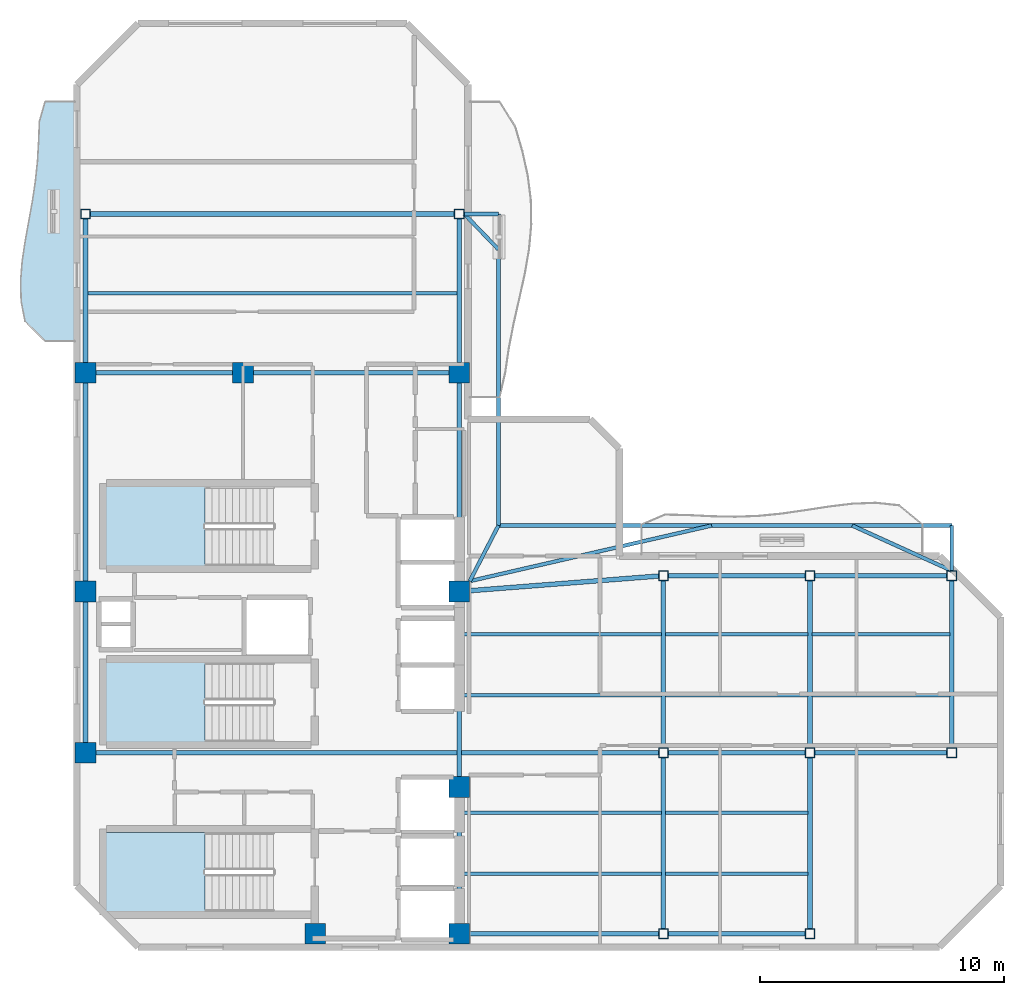
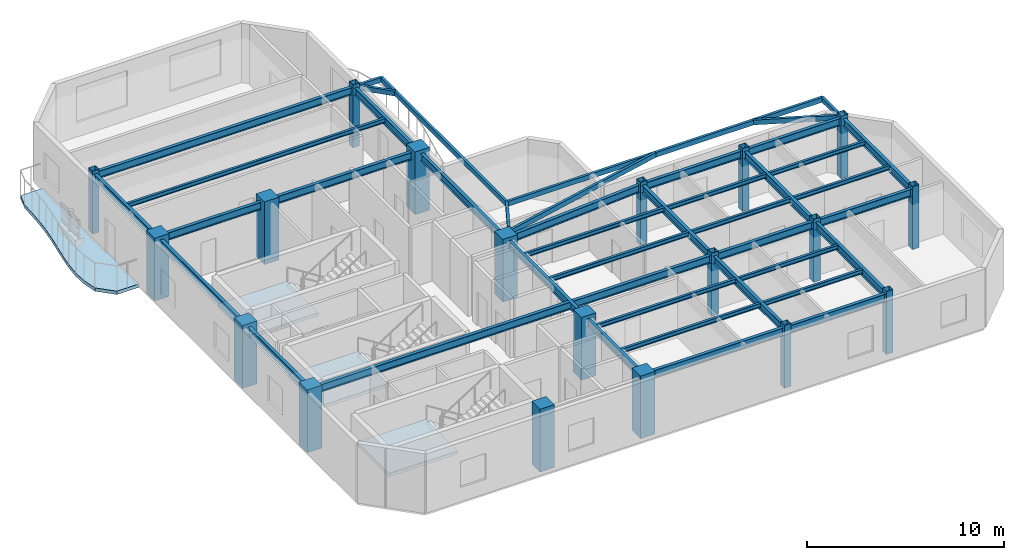
# One storey, part 1 of 7: 42 beams, 19 columns, 4 slabs, 3 elements without a shape of their own.
"""IFC4 building model written with IfcOpenShell, lengths in metres."""

from ifc_helpers import new_model, si_unit, direction, frame, origin, origin_2d, place, context, subcontext, project, spatial, polyline, rectangle, hollow_rectangle, i_section, outline, extrude, material, layer, layer_set, material_profile, profile_set, type_object, element, aggregate, save


model = new_model("IFC4")

# Units and contexts
model_context = context("Model", 3, precision=1e-05, world=origin(), true_north=direction((0.0, 1.0)))
body_context = subcontext(model_context, "Body", "Model", "MODEL_VIEW")
ifc_project = project(units=[si_unit("LENGTHUNIT", "METRE"), si_unit("AREAUNIT", "SQUARE_METRE"), si_unit("VOLUMEUNIT", "CUBIC_METRE"), si_unit("PLANEANGLEUNIT", "RADIAN"), si_unit("MASSUNIT", "GRAM", prefix="KILO")], contexts=[model_context])

# Site, building, storey
site_placement = place(None, origin())
site = spatial("IfcSite", under=ifc_project, at=site_placement, CompositionType="ELEMENT")
building_placement = place(site_placement, origin())
building = spatial("IfcBuilding", under=site, at=building_placement, Name="Mawjaban Terraces University", CompositionType="ELEMENT")
storey_placement = place(building_placement, frame((0.0, 0.0, 298.89990234375)))
storey = spatial("IfcBuildingStorey", under=building, at=storey_placement, Name="L73", CompositionType="ELEMENT", Elevation=298.89990234375)

# Columns
ifc_material_1 = material(Name="Concrete C50/60", Category="concrete")
ifc_material_profile_1 = material_profile(ifc_material_1, rectangle(XDim=0.85009765625, YDim=0.85009765625, at=origin_2d()), Name="RC850X850")
ifc_profile_set_1 = profile_set([ifc_material_profile_1], Name="Concrete C50/60")
column_type_1 = type_object("IfcColumnType", Name="Col_RC850X850", PredefinedType="COLUMN", material=ifc_profile_set_1)
for number, where, z_axis, x_axis, name in (
    (1, (31.75, 0.550048828125, 0.0), (0.0, 0.0, 1.0), (1.0, 0.0, 0.0), "L73 Column CC2"),
    (2, (37.64990234375, 0.550048828125, 0.0), (0.0, 0.0, 1.0), (1.0, 0.0, 0.0), "L73 Column CC3"),
    (3, (22.35009765625, 7.949951171875, 0.0), (0.0, 0.0, 1.0), (1.0, 0.0, 0.0), "L73 Column CC4"),
    (4, (37.64990234375, 6.550048828125, 0.0), (0.0, 0.0, 1.0), (1.0, 0.0, 0.0), "L73 Column CC5"),
    (5, (22.35009765625, 14.550048828125, 0.0), (0.0, 0.0, 1.0), (1.0, 0.0, 0.0), "L73 Column CC6"),
    (6, (37.64990234375, 14.550048828125, 0.0), (0.0, 0.0, 1.0), (1.0, 0.0, 0.0), "L73 Column CC7"),
    (7, (22.35009765625, 23.5, 0.0), (0.0, 0.0, 1.0), (1.0, 0.0, 0.0), "L73 Column CC8"),
    (8, (28.800048828125, 23.5, 0.0), (0.0, 0.0, 1.0), (1.0, 0.0, 0.0), "L73 Column CC9"),
    (9, (37.64990234375, 23.5, 0.0), (0.0, 0.0, 1.0), (1.0, 0.0, 0.0), "L73 Column CC10"),
):
    element("IfcColumn", number, at=place(storey_placement, frame(where, z_axis=z_axis, x_axis=x_axis)), inside=storey, type_object=column_type_1, Name=name, PredefinedType="COLUMN", context=body_context, shape_type="SweptSolid", body=[
        extrude(rectangle(XDim=0.85009765625, YDim=0.85009765625, at=origin_2d()), origin(), (0.0, 0.0, 1.0), 3.900146484375),
    ])
ifc_material_2 = material(Name="Steel EN 10210-1 S355J2H", Category="steel")
ifc_material_profile_2 = material_profile(ifc_material_2, hollow_rectangle(XDim=0.39990234375, YDim=0.39990234375, WallThickness=0.02001953125, at=origin_2d()), Name="SHS400X400X20")
ifc_profile_set_2 = profile_set([ifc_material_profile_2], Name="Steel EN 10210-1 S355J2H")
column_type_2 = type_object("IfcColumnType", Name="Col_SHS400X400X20", PredefinedType="COLUMN", material=ifc_profile_set_2)
for number, where, z_axis, x_axis, name in (
    (10, (46.0, 0.550048828125, 0.0), (0.0, 0.0, 1.0), (1.0, 0.0, 0.0), "L73 Column TE-460-005"),
    (11, (46.0, 7.949951171875, 0.0), (0.0, 0.0, 1.0), (1.0, 0.0, 0.0), "L73 Column TE-460-080"),
    (12, (46.0, 15.199951171875, 0.0), (0.0, 0.0, 1.0), (1.0, 0.0, 0.0), "L73 Column TE-460-152"),
    (13, (52.0, 0.550048828125, 0.0), (0.0, 0.0, 1.0), (1.0, 0.0, 0.0), "L73 Column TE-520-005"),
    (14, (52.0, 7.949951171875, 0.0), (0.0, 0.0, 1.0), (1.0, 0.0, 0.0), "L73 Column TE-520-080"),
    (15, (52.0, 15.199951171875, 0.0), (0.0, 0.0, 1.0), (1.0, 0.0, 0.0), "L73 Column TE-520-152"),
    (16, (57.800048828125, 7.949951171875, 0.0), (0.0, 0.0, 1.0), (1.0, 0.0, 0.0), "L73 Column TE-578-080"),
    (17, (57.800048828125, 15.199951171875, 0.0), (0.0, 0.0, 1.0), (1.0, 0.0, 0.0), "L73 Column TE-578-152"),
    (18, (22.35009765625, 30.0, 0.0), (0.0, 0.0, 1.0), (1.0, 0.0, 0.0), "L73 Column TN-223-300"),
    (19, (37.64990234375, 30.0, 0.0), (0.0, 0.0, 1.0), (1.0, 0.0, 0.0), "L73 Column TN-376-300"),
):
    element("IfcColumn", number, at=place(storey_placement, frame(where, z_axis=z_axis, x_axis=x_axis)), inside=storey, type_object=column_type_2, Name=name, PredefinedType="COLUMN", context=body_context, shape_type="SweptSolid", body=[
        extrude(hollow_rectangle(XDim=0.39990234375, YDim=0.39990234375, WallThickness=0.02001953125, at=origin_2d()), origin(), (0.0, 0.0, 1.0), 3.900146484375),
    ])

# Beams
ifc_material_profile_3 = material_profile(ifc_material_2, hollow_rectangle(XDim=0.14990234375, YDim=0.300048828125, WallThickness=0.012451171875, at=origin_2d()), Name="RHS300X150X12.5")
ifc_profile_set_3 = profile_set([ifc_material_profile_3], Name="Steel EN 10210-1 S355J2H")
beam_type_1 = type_object("IfcBeamType", Name="BalconyCantileverSpandrel_RHS", PredefinedType="SPANDREL", material=ifc_profile_set_3)
beam_1_placement = place(storey_placement, frame((38.074951171875, 14.97509765625, 3.5400390625), z_axis=(0.458922210771, 0.88847645127, 0.0), x_axis=(-0.88847645127, 0.458922210771, 0.0)))
element("IfcBeam", 20, at=beam_1_placement, inside=storey, type_object=beam_type_1, Name="L73 Corner Outrigger BAL-L74-N", PredefinedType="SPANDREL", context=body_context, shape_type="SweptSolid", body=[
    extrude(hollow_rectangle(XDim=0.14990234375, YDim=0.300048828125, WallThickness=0.012451171875, at=origin_2d()), origin(), (0.0, 0.0, 1.0), 2.560546875),
])
beam_2_placement = place(storey_placement, frame((57.800048828125, 15.39990234375, 3.5400390625), z_axis=(0.0, 1.0, 0.0), x_axis=(-1.0, 0.0, 0.0)))
element("IfcBeam", 21, at=beam_2_placement, inside=storey, type_object=beam_type_1, Name="L73 Exterior Outrigger BAL-L74-N.2", PredefinedType="SPANDREL", context=body_context, shape_type="SweptSolid", body=[
    extrude(hollow_rectangle(XDim=0.14990234375, YDim=0.300048828125, WallThickness=0.012451171875, at=origin_2d()), origin(), (0.0, 0.0, 1.0), 1.85009765625),
])
beam_3_placement = place(storey_placement, frame((39.25, 17.25, 3.5400390625), z_axis=(1.0, 0.0, 0.0), x_axis=(0.0, 1.0, 0.0)))
element("IfcBeam", 22, at=beam_3_placement, inside=storey, type_object=beam_type_1, Name="L73 Exterior Edge Spandrel BAL-L74-N", PredefinedType="SPANDREL", context=body_context, shape_type="SweptSolid", body=[
    extrude(hollow_rectangle(XDim=0.14990234375, YDim=0.300048828125, WallThickness=0.012451171875, at=origin_2d()), origin(), (0.0, 0.0, 1.0), 18.550048828125),
])
beam_4_placement = place(storey_placement, frame((38.074951171875, 14.97509765625, 3.5400390625), z_axis=(0.974600999447, 0.223948413426, 0.0), x_axis=(-0.223948413426, 0.974600999447, 0.0)))
element("IfcBeam", 23, at=beam_4_placement, inside=storey, type_object=beam_type_1, Name="L73 Exterior Diagonal Strut BAL-L74-N.1", PredefinedType="SPANDREL", context=body_context, shape_type="SweptSolid", body=[
    extrude(hollow_rectangle(XDim=0.14990234375, YDim=0.300048828125, WallThickness=0.012451171875, at=origin_2d()), origin(), (0.0, 0.0, 1.0), 10.158203125),
])
beam_5_placement = place(storey_placement, frame((57.800048828125, 15.39990234375, 3.5400390625), z_axis=(-0.910547611438, 0.413404217811, 0.0), x_axis=(-0.413404217811, -0.910547611438, 0.0)))
element("IfcBeam", 24, at=beam_5_placement, inside=storey, type_object=beam_type_1, Name="L73 Exterior Diagonal Strut BAL-L74-N.2", PredefinedType="SPANDREL", context=body_context, shape_type="SweptSolid", body=[
    extrude(hollow_rectangle(XDim=0.14990234375, YDim=0.300048828125, WallThickness=0.012451171875, at=origin_2d()), origin(), (0.0, 0.0, 1.0), 4.475341796875),
])
beam_6_placement = place(storey_placement, frame((37.85009765625, 30.0, 3.5400390625), z_axis=(1.0, 0.0, 0.0), x_axis=(0.0, 1.0, 0.0)))
element("IfcBeam", 25, at=beam_6_placement, inside=storey, type_object=beam_type_1, Name="L73 Exterior Outrigger BAL-L74-E.2", PredefinedType="SPANDREL", context=body_context, shape_type="SweptSolid", body=[
    extrude(hollow_rectangle(XDim=0.14990234375, YDim=0.300048828125, WallThickness=0.012451171875, at=origin_2d()), origin(), (0.0, 0.0, 1.0), 1.39990234375),
])
beam_7_placement = place(storey_placement, frame((39.25, 17.25, 3.5400390625), z_axis=(0.0, 1.0, 0.0), x_axis=(-1.0, 0.0, 0.0)))
element("IfcBeam", 26, at=beam_7_placement, inside=storey, type_object=beam_type_1, Name="L73 Exterior Edge Spandrel BAL-L74-E", PredefinedType="SPANDREL", context=body_context, shape_type="SweptSolid", body=[
    extrude(hollow_rectangle(XDim=0.14990234375, YDim=0.300048828125, WallThickness=0.012451171875, at=origin_2d()), origin(), (0.0, 0.0, 1.0), 12.75),
])
beam_8_placement = place(storey_placement, frame((37.85009765625, 30.0, 3.5400390625), z_axis=(0.694581542946, -0.719413983878, 0.0), x_axis=(0.719413983878, 0.694581542946, 0.0)))
element("IfcBeam", 27, at=beam_8_placement, inside=storey, type_object=beam_type_1, Name="L73 Exterior Diagonal Strut BAL-L74-E.1", PredefinedType="SPANDREL", context=body_context, shape_type="SweptSolid", body=[
    extrude(hollow_rectangle(XDim=0.14990234375, YDim=0.300048828125, WallThickness=0.012451171875, at=origin_2d()), origin(), (0.0, 0.0, 1.0), 2.015380859375),
])
ifc_material_3 = material(Name="Steel ASTM A572 Grade 50", Category="steel")
ifc_material_profile_4 = material_profile(ifc_material_3, i_section(OverallWidth=0.19189453125, OverallDepth=0.462890625, WebThickness=0.010498046875, FlangeThickness=0.017578125, at=origin_2d()), Name="W460X89")
ifc_profile_set_4 = profile_set([ifc_material_profile_4], Name="Steel ASTM A572 Grade 50")
beam_type_2 = type_object("IfcBeamType", Name="Beam_B_W460X89", PredefinedType="BEAM", material=ifc_profile_set_4)
beam_9_placement = place(storey_placement, frame((38.074951171875, 0.550048828125, 3.4580078125), z_axis=(1.0, 0.0, 0.0), x_axis=(0.0, 1.0, 0.0)))
element("IfcBeam", 28, at=beam_9_placement, inside=storey, type_object=beam_type_2, Name="L73 Beam BM-L73-EW-01", PredefinedType="BEAM", context=body_context, shape_type="SweptSolid", body=[
    extrude(i_section(OverallWidth=0.19189453125, OverallDepth=0.462890625, WebThickness=0.010498046875, FlangeThickness=0.017578125, at=origin_2d()), origin(), (0.0, 0.0, 1.0), 7.72509765625),
])
beam_10_placement = place(storey_placement, frame((46.199951171875, 0.550048828125, 3.4580078125), z_axis=(1.0, 0.0, 0.0), x_axis=(0.0, 1.0, 0.0)))
element("IfcBeam", 29, at=beam_10_placement, inside=storey, type_object=beam_type_2, Name="L73 Beam BM-L73-EW-02", PredefinedType="BEAM", context=body_context, shape_type="SweptSolid", body=[
    extrude(i_section(OverallWidth=0.19189453125, OverallDepth=0.462890625, WebThickness=0.010498046875, FlangeThickness=0.017578125, at=origin_2d()), origin(), (0.0, 0.0, 1.0), 5.60009765625),
])
beam_11_placement = place(storey_placement, frame((22.77490234375, 7.949951171875, 3.4580078125), z_axis=(1.0, 0.0, 0.0), x_axis=(0.0, 1.0, 0.0)))
element("IfcBeam", 30, at=beam_11_placement, inside=storey, type_object=beam_type_2, Name="L73 Beam BM-L73-EW-03", PredefinedType="BEAM", context=body_context, shape_type="SweptSolid", body=[
    extrude(i_section(OverallWidth=0.19189453125, OverallDepth=0.462890625, WebThickness=0.010498046875, FlangeThickness=0.017578125, at=origin_2d()), origin(), (0.0, 0.0, 1.0), 23.025146484375),
])
beam_12_placement = place(storey_placement, frame((46.199951171875, 7.949951171875, 3.4580078125), z_axis=(1.0, 0.0, 0.0), x_axis=(0.0, 1.0, 0.0)))
element("IfcBeam", 31, at=beam_12_placement, inside=storey, type_object=beam_type_2, Name="L73 Beam BM-L73-EW-04", PredefinedType="BEAM", context=body_context, shape_type="SweptSolid", body=[
    extrude(i_section(OverallWidth=0.19189453125, OverallDepth=0.462890625, WebThickness=0.010498046875, FlangeThickness=0.017578125, at=origin_2d()), origin(), (0.0, 0.0, 1.0), 5.60009765625),
])
beam_13_placement = place(storey_placement, frame((52.199951171875, 7.949951171875, 3.4580078125), z_axis=(1.0, 0.0, 0.0), x_axis=(0.0, 1.0, 0.0)))
element("IfcBeam", 32, at=beam_13_placement, inside=storey, type_object=beam_type_2, Name="L73 Beam BM-L73-EW-05", PredefinedType="BEAM", context=body_context, shape_type="SweptSolid", body=[
    extrude(i_section(OverallWidth=0.19189453125, OverallDepth=0.462890625, WebThickness=0.010498046875, FlangeThickness=0.017578125, at=origin_2d()), origin(), (0.0, 0.0, 1.0), 5.400146484375),
])
beam_14_placement = place(storey_placement, frame((46.199951171875, 15.199951171875, 3.4580078125), z_axis=(1.0, 0.0, 0.0), x_axis=(0.0, 1.0, 0.0)))
element("IfcBeam", 33, at=beam_14_placement, inside=storey, type_object=beam_type_2, Name="L73 Beam BM-L73-EW-06", PredefinedType="BEAM", context=body_context, shape_type="SweptSolid", body=[
    extrude(i_section(OverallWidth=0.19189453125, OverallDepth=0.462890625, WebThickness=0.010498046875, FlangeThickness=0.017578125, at=origin_2d()), origin(), (0.0, 0.0, 1.0), 5.60009765625),
])
beam_15_placement = place(storey_placement, frame((52.199951171875, 15.199951171875, 3.4580078125), z_axis=(1.0, 0.0, 0.0), x_axis=(0.0, 1.0, 0.0)))
element("IfcBeam", 34, at=beam_15_placement, inside=storey, type_object=beam_type_2, Name="L73 Beam BM-L73-EW-07", PredefinedType="BEAM", context=body_context, shape_type="SweptSolid", body=[
    extrude(i_section(OverallWidth=0.19189453125, OverallDepth=0.462890625, WebThickness=0.010498046875, FlangeThickness=0.017578125, at=origin_2d()), origin(), (0.0, 0.0, 1.0), 5.400146484375),
])
beam_16_placement = place(storey_placement, frame((22.77490234375, 23.5, 3.4580078125), z_axis=(1.0, 0.0, 0.0), x_axis=(0.0, 1.0, 0.0)))
element("IfcBeam", 35, at=beam_16_placement, inside=storey, type_object=beam_type_2, Name="L73 Beam BM-L73-EW-08", PredefinedType="BEAM", context=body_context, shape_type="SweptSolid", body=[
    extrude(i_section(OverallWidth=0.19189453125, OverallDepth=0.462890625, WebThickness=0.010498046875, FlangeThickness=0.017578125, at=origin_2d()), origin(), (0.0, 0.0, 1.0), 5.60009765625),
])
beam_17_placement = place(storey_placement, frame((29.22509765625, 23.5, 3.4580078125), z_axis=(1.0, 0.0, 0.0), x_axis=(0.0, 1.0, 0.0)))
element("IfcBeam", 36, at=beam_17_placement, inside=storey, type_object=beam_type_2, Name="L73 Beam BM-L73-EW-09", PredefinedType="BEAM", context=body_context, shape_type="SweptSolid", body=[
    extrude(i_section(OverallWidth=0.19189453125, OverallDepth=0.462890625, WebThickness=0.010498046875, FlangeThickness=0.017578125, at=origin_2d()), origin(), (0.0, 0.0, 1.0), 8.0),
])
beam_18_placement = place(storey_placement, frame((22.550048828125, 30.0, 3.4580078125), z_axis=(1.0, 0.0, 0.0), x_axis=(0.0, 1.0, 0.0)))
element("IfcBeam", 37, at=beam_18_placement, inside=storey, type_object=beam_type_2, Name="L73 Beam BM-L73-EW-10", PredefinedType="BEAM", context=body_context, shape_type="SweptSolid", body=[
    extrude(i_section(OverallWidth=0.19189453125, OverallDepth=0.462890625, WebThickness=0.010498046875, FlangeThickness=0.017578125, at=origin_2d()), origin(), (0.0, 0.0, 1.0), 14.89990234375),
])
beam_19_placement = place(storey_placement, frame((22.35009765625, 8.375, 3.4580078125), z_axis=(0.0, 1.0, 0.0), x_axis=(-1.0, 0.0, 0.0)))
element("IfcBeam", 38, at=beam_19_placement, inside=storey, type_object=beam_type_2, Name="L73 Beam BM-L73-NS-01", PredefinedType="BEAM", context=body_context, shape_type="SweptSolid", body=[
    extrude(i_section(OverallWidth=0.19189453125, OverallDepth=0.462890625, WebThickness=0.010498046875, FlangeThickness=0.017578125, at=origin_2d()), origin(), (0.0, 0.0, 1.0), 5.75),
])
beam_20_placement = place(storey_placement, frame((22.35009765625, 14.97509765625, 3.4580078125), z_axis=(0.0, 1.0, 0.0), x_axis=(-1.0, 0.0, 0.0)))
element("IfcBeam", 39, at=beam_20_placement, inside=storey, type_object=beam_type_2, Name="L73 Beam BM-L73-NS-02", PredefinedType="BEAM", context=body_context, shape_type="SweptSolid", body=[
    extrude(i_section(OverallWidth=0.19189453125, OverallDepth=0.462890625, WebThickness=0.010498046875, FlangeThickness=0.017578125, at=origin_2d()), origin(), (0.0, 0.0, 1.0), 8.099853515625),
])
beam_21_placement = place(storey_placement, frame((22.35009765625, 23.925048828125, 3.4580078125), z_axis=(0.0, 1.0, 0.0), x_axis=(-1.0, 0.0, 0.0)))
element("IfcBeam", 40, at=beam_21_placement, inside=storey, type_object=beam_type_2, Name="L73 Beam BM-L73-NS-03", PredefinedType="BEAM", context=body_context, shape_type="SweptSolid", body=[
    extrude(i_section(OverallWidth=0.19189453125, OverallDepth=0.462890625, WebThickness=0.010498046875, FlangeThickness=0.017578125, at=origin_2d()), origin(), (0.0, 0.0, 1.0), 5.875),
])
beam_22_placement = place(storey_placement, frame((37.64990234375, 0.97509765625, 3.4580078125), z_axis=(0.0, 1.0, 0.0), x_axis=(-1.0, 0.0, 0.0)))
element("IfcBeam", 41, at=beam_22_placement, inside=storey, type_object=beam_type_2, Name="L73 Beam BM-L73-NS-04", PredefinedType="BEAM", context=body_context, shape_type="SweptSolid", body=[
    extrude(i_section(OverallWidth=0.19189453125, OverallDepth=0.462890625, WebThickness=0.010498046875, FlangeThickness=0.017578125, at=origin_2d()), origin(), (0.0, 0.0, 1.0), 5.14990234375),
])
beam_23_placement = place(storey_placement, frame((37.64990234375, 6.97509765625, 3.4580078125), z_axis=(0.0, 1.0, 0.0), x_axis=(-1.0, 0.0, 0.0)))
element("IfcBeam", 42, at=beam_23_placement, inside=storey, type_object=beam_type_2, Name="L73 Beam BM-L73-NS-05", PredefinedType="BEAM", context=body_context, shape_type="SweptSolid", body=[
    extrude(i_section(OverallWidth=0.19189453125, OverallDepth=0.462890625, WebThickness=0.010498046875, FlangeThickness=0.017578125, at=origin_2d()), origin(), (0.0, 0.0, 1.0), 7.14990234375),
])
beam_24_placement = place(storey_placement, frame((37.64990234375, 14.97509765625, 3.4580078125), z_axis=(0.0, 1.0, 0.0), x_axis=(-1.0, 0.0, 0.0)))
element("IfcBeam", 43, at=beam_24_placement, inside=storey, type_object=beam_type_2, Name="L73 Beam BM-L73-NS-06", PredefinedType="BEAM", context=body_context, shape_type="SweptSolid", body=[
    extrude(i_section(OverallWidth=0.19189453125, OverallDepth=0.462890625, WebThickness=0.010498046875, FlangeThickness=0.017578125, at=origin_2d()), origin(), (0.0, 0.0, 1.0), 8.099853515625),
])
beam_25_placement = place(storey_placement, frame((37.64990234375, 23.925048828125, 3.4580078125), z_axis=(0.0, 1.0, 0.0), x_axis=(-1.0, 0.0, 0.0)))
element("IfcBeam", 44, at=beam_25_placement, inside=storey, type_object=beam_type_2, Name="L73 Beam BM-L73-NS-07", PredefinedType="BEAM", context=body_context, shape_type="SweptSolid", body=[
    extrude(i_section(OverallWidth=0.19189453125, OverallDepth=0.462890625, WebThickness=0.010498046875, FlangeThickness=0.017578125, at=origin_2d()), origin(), (0.0, 0.0, 1.0), 5.875),
])
beam_26_placement = place(storey_placement, frame((46.0, 0.75, 3.4580078125), z_axis=(0.0, 1.0, 0.0), x_axis=(-1.0, 0.0, 0.0)))
element("IfcBeam", 45, at=beam_26_placement, inside=storey, type_object=beam_type_2, Name="L73 Beam BM-L73-NS-08", PredefinedType="BEAM", context=body_context, shape_type="SweptSolid", body=[
    extrude(i_section(OverallWidth=0.19189453125, OverallDepth=0.462890625, WebThickness=0.010498046875, FlangeThickness=0.017578125, at=origin_2d()), origin(), (0.0, 0.0, 1.0), 7.0),
])
beam_27_placement = place(storey_placement, frame((46.0, 8.14990234375, 3.4580078125), z_axis=(0.0, 1.0, 0.0), x_axis=(-1.0, 0.0, 0.0)))
element("IfcBeam", 46, at=beam_27_placement, inside=storey, type_object=beam_type_2, Name="L73 Beam BM-L73-NS-09", PredefinedType="BEAM", context=body_context, shape_type="SweptSolid", body=[
    extrude(i_section(OverallWidth=0.19189453125, OverallDepth=0.462890625, WebThickness=0.010498046875, FlangeThickness=0.017578125, at=origin_2d()), origin(), (0.0, 0.0, 1.0), 6.85009765625),
])
beam_28_placement = place(storey_placement, frame((52.0, 0.75, 3.4580078125), z_axis=(0.0, 1.0, 0.0), x_axis=(-1.0, 0.0, 0.0)))
element("IfcBeam", 47, at=beam_28_placement, inside=storey, type_object=beam_type_2, Name="L73 Beam BM-L73-NS-10", PredefinedType="BEAM", context=body_context, shape_type="SweptSolid", body=[
    extrude(i_section(OverallWidth=0.19189453125, OverallDepth=0.462890625, WebThickness=0.010498046875, FlangeThickness=0.017578125, at=origin_2d()), origin(), (0.0, 0.0, 1.0), 7.0),
])
for number, where, z_axis, x_axis, name in (
    (48, (52.0, 8.14990234375, 3.4580078125), (0.0, 1.0, 0.0), (-1.0, 0.0, 0.0), "L73 Beam BM-L73-NS-11"),
    (49, (57.800048828125, 8.14990234375, 3.4580078125), (0.0, 1.0, 0.0), (-1.0, 0.0, 0.0), "L73 Beam BM-L73-NS-12"),
):
    element("IfcBeam", number, at=place(storey_placement, frame(where, z_axis=z_axis, x_axis=x_axis)), inside=storey, type_object=beam_type_2, Name=name, PredefinedType="BEAM", context=body_context, shape_type="SweptSolid", body=[
        extrude(i_section(OverallWidth=0.19189453125, OverallDepth=0.462890625, WebThickness=0.010498046875, FlangeThickness=0.017578125, at=origin_2d()), origin(), (0.0, 0.0, 1.0), 6.85009765625),
    ])
beam_29_placement = place(storey_placement, frame((38.073974609375, 14.5830078125, 3.4580078125), z_axis=(0.996988151141, 0.077554023005, 0.0), x_axis=(-0.077554023005, 0.996988151141, 0.0)))
element("IfcBeam", 50, at=beam_29_placement, inside=storey, type_object=beam_type_2, Name="L73 Beam BM-L73-CTIE", PredefinedType="BEAM", context=body_context, shape_type="SweptSolid", body=[
    extrude(i_section(OverallWidth=0.19189453125, OverallDepth=0.462890625, WebThickness=0.010498046875, FlangeThickness=0.017578125, at=origin_2d()), origin(), (0.0, 0.0, 1.0), 7.75048828125),
])
ifc_material_profile_5 = material_profile(ifc_material_3, i_section(OverallWidth=0.14794921875, OverallDepth=0.26611328125, WebThickness=0.007568359375, FlangeThickness=0.012939453125, at=origin_2d()), Name="W250X45")
ifc_profile_set_5 = profile_set([ifc_material_profile_5], Name="Steel ASTM A572 Grade 50")
beam_type_3 = type_object("IfcBeamType", Name="Beam_J_W250X45", PredefinedType="JOIST", material=ifc_profile_set_5)
beam_30_placement = place(storey_placement, frame((37.72998046875, 3.0, 3.55712890625), z_axis=(1.0, 0.0, 0.0), x_axis=(0.0, 1.0, 0.0)))
element("IfcBeam", 51, at=beam_30_placement, inside=storey, type_object=beam_type_3, Name="L73 Composite Joist JST-L73-01", PredefinedType="JOIST", context=body_context, shape_type="SweptSolid", body=[
    extrude(i_section(OverallWidth=0.14794921875, OverallDepth=0.26611328125, WebThickness=0.007568359375, FlangeThickness=0.012939453125, at=origin_2d()), origin(), (0.0, 0.0, 1.0), 8.18994140625),
])
beam_31_placement = place(storey_placement, frame((46.080078125, 3.0, 3.55712890625), z_axis=(1.0, 0.0, 0.0), x_axis=(0.0, 1.0, 0.0)))
element("IfcBeam", 52, at=beam_31_placement, inside=storey, type_object=beam_type_3, Name="L73 Composite Joist JST-L73-02", PredefinedType="JOIST", context=body_context, shape_type="SweptSolid", body=[
    extrude(i_section(OverallWidth=0.14794921875, OverallDepth=0.26611328125, WebThickness=0.007568359375, FlangeThickness=0.012939453125, at=origin_2d()), origin(), (0.0, 0.0, 1.0), 5.83984375),
])
beam_32_placement = place(storey_placement, frame((37.72998046875, 5.5, 3.55712890625), z_axis=(1.0, 0.0, 0.0), x_axis=(0.0, 1.0, 0.0)))
element("IfcBeam", 53, at=beam_32_placement, inside=storey, type_object=beam_type_3, Name="L73 Composite Joist JST-L73-03", PredefinedType="JOIST", context=body_context, shape_type="SweptSolid", body=[
    extrude(i_section(OverallWidth=0.14794921875, OverallDepth=0.26611328125, WebThickness=0.007568359375, FlangeThickness=0.012939453125, at=origin_2d()), origin(), (0.0, 0.0, 1.0), 8.18994140625),
])
beam_33_placement = place(storey_placement, frame((46.080078125, 5.5, 3.55712890625), z_axis=(1.0, 0.0, 0.0), x_axis=(0.0, 1.0, 0.0)))
element("IfcBeam", 54, at=beam_33_placement, inside=storey, type_object=beam_type_3, Name="L73 Composite Joist JST-L73-04", PredefinedType="JOIST", context=body_context, shape_type="SweptSolid", body=[
    extrude(i_section(OverallWidth=0.14794921875, OverallDepth=0.26611328125, WebThickness=0.007568359375, FlangeThickness=0.012939453125, at=origin_2d()), origin(), (0.0, 0.0, 1.0), 5.83984375),
])
beam_34_placement = place(storey_placement, frame((37.72998046875, 10.300048828125, 3.55712890625), z_axis=(1.0, 0.0, 0.0), x_axis=(0.0, 1.0, 0.0)))
element("IfcBeam", 55, at=beam_34_placement, inside=storey, type_object=beam_type_3, Name="L73 Composite Joist JST-L73-05", PredefinedType="JOIST", context=body_context, shape_type="SweptSolid", body=[
    extrude(i_section(OverallWidth=0.14794921875, OverallDepth=0.26611328125, WebThickness=0.007568359375, FlangeThickness=0.012939453125, at=origin_2d()), origin(), (0.0, 0.0, 1.0), 8.18994140625),
])
beam_35_placement = place(storey_placement, frame((46.080078125, 10.300048828125, 3.55712890625), z_axis=(1.0, 0.0, 0.0), x_axis=(0.0, 1.0, 0.0)))
element("IfcBeam", 56, at=beam_35_placement, inside=storey, type_object=beam_type_3, Name="L73 Composite Joist JST-L73-06", PredefinedType="JOIST", context=body_context, shape_type="SweptSolid", body=[
    extrude(i_section(OverallWidth=0.14794921875, OverallDepth=0.26611328125, WebThickness=0.007568359375, FlangeThickness=0.012939453125, at=origin_2d()), origin(), (0.0, 0.0, 1.0), 5.83984375),
])
beam_36_placement = place(storey_placement, frame((52.080078125, 10.300048828125, 3.55712890625), z_axis=(1.0, 0.0, 0.0), x_axis=(0.0, 1.0, 0.0)))
element("IfcBeam", 57, at=beam_36_placement, inside=storey, type_object=beam_type_3, Name="L73 Composite Joist JST-L73-07", PredefinedType="JOIST", context=body_context, shape_type="SweptSolid", body=[
    extrude(i_section(OverallWidth=0.14794921875, OverallDepth=0.26611328125, WebThickness=0.007568359375, FlangeThickness=0.012939453125, at=origin_2d()), origin(), (0.0, 0.0, 1.0), 5.639892578125),
])
beam_37_placement = place(storey_placement, frame((37.72998046875, 12.800048828125, 3.55712890625), z_axis=(1.0, 0.0, 0.0), x_axis=(0.0, 1.0, 0.0)))
element("IfcBeam", 58, at=beam_37_placement, inside=storey, type_object=beam_type_3, Name="L73 Composite Joist JST-L73-08", PredefinedType="JOIST", context=body_context, shape_type="SweptSolid", body=[
    extrude(i_section(OverallWidth=0.14794921875, OverallDepth=0.26611328125, WebThickness=0.007568359375, FlangeThickness=0.012939453125, at=origin_2d()), origin(), (0.0, 0.0, 1.0), 8.18994140625),
])
beam_38_placement = place(storey_placement, frame((46.080078125, 12.800048828125, 3.55712890625), z_axis=(1.0, 0.0, 0.0), x_axis=(0.0, 1.0, 0.0)))
element("IfcBeam", 59, at=beam_38_placement, inside=storey, type_object=beam_type_3, Name="L73 Composite Joist JST-L73-09", PredefinedType="JOIST", context=body_context, shape_type="SweptSolid", body=[
    extrude(i_section(OverallWidth=0.14794921875, OverallDepth=0.26611328125, WebThickness=0.007568359375, FlangeThickness=0.012939453125, at=origin_2d()), origin(), (0.0, 0.0, 1.0), 5.83984375),
])
beam_39_placement = place(storey_placement, frame((52.080078125, 12.800048828125, 3.55712890625), z_axis=(1.0, 0.0, 0.0), x_axis=(0.0, 1.0, 0.0)))
element("IfcBeam", 60, at=beam_39_placement, inside=storey, type_object=beam_type_3, Name="L73 Composite Joist JST-L73-10", PredefinedType="JOIST", context=body_context, shape_type="SweptSolid", body=[
    extrude(i_section(OverallWidth=0.14794921875, OverallDepth=0.26611328125, WebThickness=0.007568359375, FlangeThickness=0.012939453125, at=origin_2d()), origin(), (0.0, 0.0, 1.0), 5.639892578125),
])
beam_40_placement = place(storey_placement, frame((22.429931640625, 26.75, 3.55712890625), z_axis=(1.0, 0.0, 0.0), x_axis=(0.0, 1.0, 0.0)))
element("IfcBeam", 61, at=beam_40_placement, inside=storey, type_object=beam_type_3, Name="L73 Composite Joist JST-L73-11", PredefinedType="JOIST", context=body_context, shape_type="SweptSolid", body=[
    extrude(i_section(OverallWidth=0.14794921875, OverallDepth=0.26611328125, WebThickness=0.007568359375, FlangeThickness=0.012939453125, at=origin_2d()), origin(), (0.0, 0.0, 1.0), 15.14013671875),
])

# Slab
ifc_material_4 = material(Name="Concrete C40/50", Category="concrete")
ifc_layer_1 = layer(ifc_material_4, 0.2099609375)
ifc_layer_set_1 = layer_set([ifc_layer_1], Name="Concrete C40/50")
slab_type_1 = type_object("IfcSlabType", Name="BalconySlab_210_Ext", PredefinedType="FLOOR", material=ifc_layer_set_1)
slab_1_placement = place(storey_placement, frame((0.0, 0.0, -0.2099609375)))
element("IfcSlab", 62, at=slab_1_placement, inside=storey, type_object=slab_type_1, Name="L73 Planted Balcony Slab west", PredefinedType="FLOOR", context=body_context, shape_type="SweptSolid", body=[
    extrude(outline(polyline([(22.010009765625, 24.800048828125), (22.010009765625, 34.60009765625), (20.699951171875, 34.60009765625), (20.466064453125, 33.782958984375), (20.43408203125, 32.967041015625), (20.386962890625, 32.14990234375), (20.301025390625, 31.3330078125), (20.178955078125, 30.51708984375), (20.031005859375, 29.699951171875), (19.883056640625, 28.883056640625), (19.760986328125, 28.06689453125), (19.696044921875, 27.25), (19.719970703125, 26.43310546875), (19.875, 25.616943359375), (20.699951171875, 24.800048828125), (22.010009765625, 24.800048828125)])), origin(), (0.0, 0.0, 1.0), 0.2099609375),
])

# Stair, slab
stair_type = type_object("IfcStairType", Name="Stair_Core1550_H39", PredefinedType="HALF_TURN_STAIR", material=ifc_material_4)
stair_1_placement = place(storey_placement, origin())
stair_1 = element("IfcStair", 63, at=stair_1_placement, inside=storey, type_object=stair_type, Name="L73 Core Exit Stair 1", PredefinedType="HALF_TURN_STAIR")
ifc_layer_2 = layer(ifc_material_4, 0.199951171875)
ifc_layer_set_2 = layer_set([ifc_layer_2], Name="Concrete C40/50")
slab_type_2 = type_object("IfcSlabType", Name="StairLandingSlab_200", PredefinedType="LANDING", material=ifc_layer_set_2)
slab_2_placement = place(storey_placement, frame((0.0, 0.0, 1.75)))
slab_2 = element("IfcSlab", 64, at=slab_2_placement, type_object=slab_type_2, Name="ST-1 landing 1", PredefinedType="LANDING", context=body_context, shape_type="SweptSolid", body=[
    extrude(outline(polyline([(27.25, 4.699951171875), (23.199951171875, 4.699951171875), (23.199951171875, 1.449951171875), (27.25, 1.449951171875), (27.25, 4.699951171875)])), origin(), (0.0, 0.0, 1.0), 0.2001953125),
])
aggregate(stair_1, [slab_2])

stair_2_placement = place(storey_placement, origin())
stair_2 = element("IfcStair", 65, at=stair_2_placement, inside=storey, type_object=stair_type, Name="L73 Core Exit Stair 2", PredefinedType="HALF_TURN_STAIR")
slab_3_placement = place(storey_placement, frame((0.0, 0.0, 1.75)))
slab_3 = element("IfcSlab", 66, at=slab_3_placement, type_object=slab_type_2, Name="ST-2 landing 1", PredefinedType="LANDING", context=body_context, shape_type="SweptSolid", body=[
    extrude(outline(polyline([(27.25, 18.85009765625), (23.199951171875, 18.85009765625), (23.199951171875, 15.60009765625), (27.25, 15.60009765625), (27.25, 18.85009765625)])), origin(), (0.0, 0.0, 1.0), 0.2001953125),
])
aggregate(stair_2, [slab_3])

stair_3_placement = place(storey_placement, origin())
stair_3 = element("IfcStair", 67, at=stair_3_placement, inside=storey, type_object=stair_type, Name="L73 Core Exit Stair 3", PredefinedType="HALF_TURN_STAIR")
slab_4_placement = place(storey_placement, frame((0.0, 0.0, 1.75)))
slab_4 = element("IfcSlab", 68, at=slab_4_placement, type_object=slab_type_2, Name="ST-3 landing 1", PredefinedType="LANDING", context=body_context, shape_type="SweptSolid", body=[
    extrude(outline(polyline([(27.25, 11.64990234375), (23.199951171875, 11.64990234375), (23.199951171875, 8.39990234375), (27.25, 8.39990234375), (27.25, 11.64990234375)])), origin(), (0.0, 0.0, 1.0), 0.2001953125),
])
aggregate(stair_3, [slab_4])

save(model, "model.ifc")
